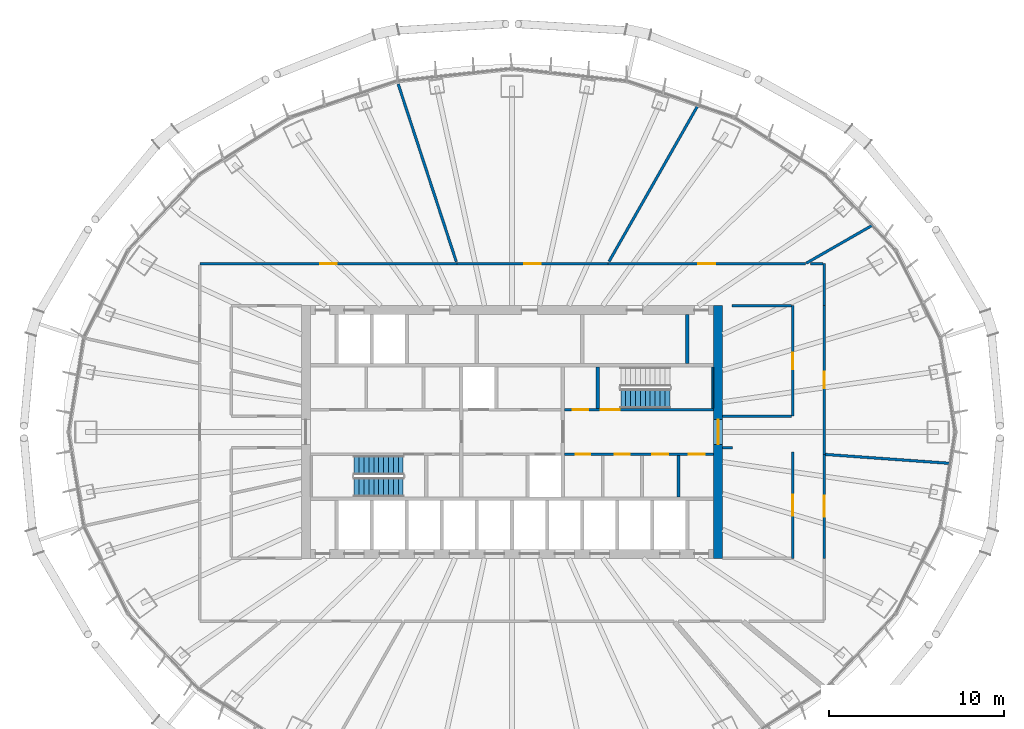
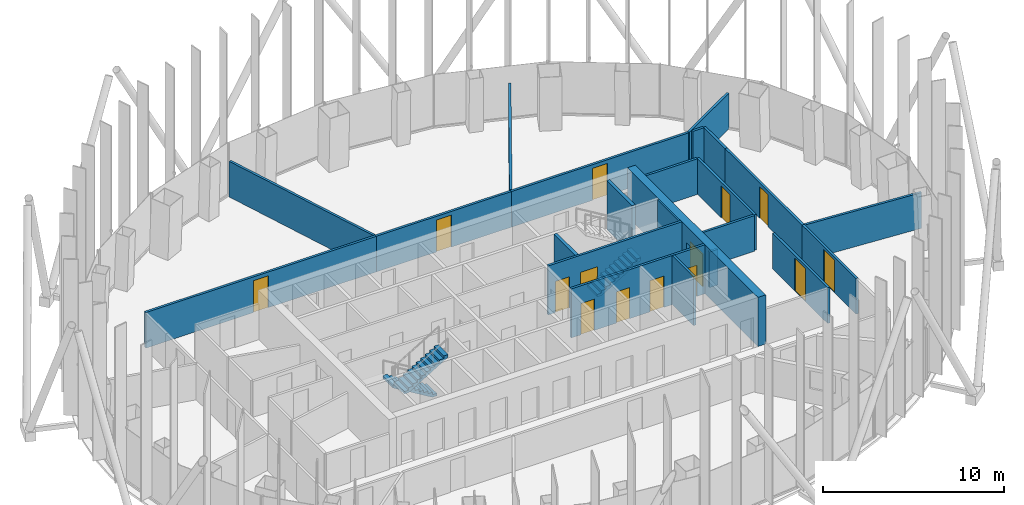
# One storey, part 10 of 19: 23 walls, 14 doors, 3 stair flights, 14 openings, 2 elements without a shape of their own.
"""IFC4 building model written with IfcOpenShell, lengths in metres."""

from ifc_helpers import new_model, si_unit, direction, frame, frame_2d, origin, place, context, subcontext, project, spatial, polyline, rectangle, outline, extrude, material, layer, layer_set, type_object, element, fill, aggregate, save


model = new_model("IFC4")

# Units and contexts
model_context = context("Model", 3, precision=1e-05, world=origin(), true_north=direction((0.0, 1.0)))
body_context = subcontext(model_context, "Body", "Model", "MODEL_VIEW")
ifc_project = project(units=[si_unit("LENGTHUNIT", "METRE"), si_unit("AREAUNIT", "SQUARE_METRE"), si_unit("VOLUMEUNIT", "CUBIC_METRE"), si_unit("PLANEANGLEUNIT", "RADIAN"), si_unit("MASSUNIT", "GRAM", prefix="KILO")], contexts=[model_context])

# Site, building, storey
site_placement = place(None, origin())
site = spatial("IfcSite", under=ifc_project, at=site_placement, CompositionType="ELEMENT")
building_placement = place(site_placement, origin())
building = spatial("IfcBuilding", under=site, at=building_placement, Name="Siaravel Broadcast Tower", CompositionType="ELEMENT")
storey_placement = place(building_placement, frame((0.0, 0.0, 119.300048828125)))
storey = spatial("IfcBuildingStorey", under=building, at=storey_placement, Name="L28", CompositionType="ELEMENT", Elevation=119.300048828125)

# Wall
ifc_material_1 = material(Name="Concrete blockwork", Category="masonry")
ifc_layer_1 = layer(ifc_material_1, 0.14990234375)
ifc_layer_set_1 = layer_set([ifc_layer_1], Name="Concrete blockwork")
wall_type_1 = type_object("IfcWallType", Name="Core partition 150", PredefinedType="PARTITIONING", material=ifc_layer_set_1)
wall_1_placement = place(storey_placement, frame((9.492919921875, -3.699951171875, 0.0), z_axis=(0.0, 0.0, 1.0), x_axis=(0.0, 1.0, 0.0)))
element("IfcWall", 1, at=wall_1_placement, inside=storey, type_object=wall_type_1, Name="L28 core partition PSE2", PredefinedType="PARTITIONING", context=body_context, shape_type="SweptSolid", body=[
    extrude(rectangle(XDim=2.349853515625, YDim=0.14990234375, at=frame_2d((1.1748046875, 0.0))), origin(), (0.0, 0.0, 1.0), 3.300048828125),
])

# Wall, opening, door
ifc_material_2 = material(Name="Concrete C60/75", Category="concrete")
ifc_layer_2 = layer(ifc_material_2, 0.5)
ifc_layer_set_2 = layer_set([ifc_layer_2], Name="Concrete C60/75")
wall_type_2 = type_object("IfcWallType", Name="Core wall 500", PredefinedType="SHEAR", material=ifc_layer_set_2)
wall_2_placement = place(storey_placement, frame((11.75, -7.199951171875, 0.0), z_axis=(0.0, 0.0, 1.0), x_axis=(0.0, 1.0, 0.0)))
wall_2 = element("IfcWall", 2, at=wall_2_placement, inside=storey, type_object=wall_type_2, Name="L28 core wall OE", PredefinedType="SHEAR", context=body_context, shape_type="SweptSolid", body=[
    extrude(rectangle(XDim=14.39990234375, YDim=0.5, at=frame_2d((7.199951171875, 0.0))), origin(), (0.0, 0.0, 1.0), 3.300048828125),
])
opening_1_placement = place(wall_2_placement, frame((6.5, 0.0, 0.0)))
opening_1 = element("IfcOpeningElement", 3, at=opening_1_placement, cuts=wall_2, Name="Opening L28-DX-E", PredefinedType="OPENING", context=body_context, shape_type="SweptSolid", body=[
    extrude(rectangle(XDim=1.39990234375, YDim=2.199951171875, at=frame_2d((0.699951171875, 1.10009765625))), frame((0.0, 0.260009765625, 0.0), z_axis=(0.0, -1.0, 0.0), x_axis=(1.0, 0.0, 0.0)), (0.0, 0.0, 1.0), 0.52001953125),
])
ifc_material_3 = material(Name="Steel", Category="steel")
door_type_1 = type_object("IfcDoorType", Name="Core exit door 1400", OperationType="DOUBLE_DOOR_SINGLE_SWING", PredefinedType="DOOR", material=ifc_material_3)
door_1_placement = place(opening_1_placement, origin())
door_1 = element("IfcDoor", 4, at=door_1_placement, inside=storey, type_object=door_type_1, Name="L28 door DX-E", OperationType="DOUBLE_DOOR_SINGLE_SWING", OverallHeight=2.199951171875, OverallWidth=1.39990234375, PredefinedType="DOOR", context=body_context, shape_type="SweptSolid", body=[
    extrude(rectangle(XDim=1.39990234375, YDim=2.199951171875, at=frame_2d((0.699951171875, 1.10009765625))), frame((0.0, 0.02490234375, 0.0), z_axis=(0.0, -1.0, 0.0), x_axis=(1.0, 0.0, 0.0)), (0.0, 0.0, 1.0), 0.050048828125),
])
fill(opening_1, door_1)

# Wall, openings, doors
ifc_material_4 = material(Name="Gypsum board partition", Category="gypsum")
ifc_layer_3 = layer(ifc_material_4, 0.14990234375)
ifc_layer_set_3 = layer_set([ifc_layer_3], Name="Gypsum board partition")
wall_type_3 = type_object("IfcWallType", Name="Corridor wall 150", PredefinedType="PARTITIONING", material=ifc_layer_set_3)
wall_3_placement = place(storey_placement, frame((3.0, -1.27490234375, 0.0), z_axis=(0.0, 0.0, 1.0), x_axis=(1.0, 0.0, 0.0)))
wall_3 = element("IfcWall", 5, at=wall_3_placement, inside=storey, type_object=wall_type_3, Name="L28 core partition CSE", PredefinedType="PARTITIONING", context=body_context, shape_type="SweptSolid", body=[
    extrude(rectangle(XDim=8.5, YDim=0.14990234375, at=frame_2d((4.25, 0.0))), origin(), (0.0, 0.0, 1.0), 3.300048828125),
])
opening_2_placement = place(wall_3_placement, frame((0.62158203125, 0.0, 0.0)))
opening_2 = element("IfcOpeningElement", 6, at=opening_2_placement, cuts=wall_3, Name="Opening L28-DSE0", PredefinedType="OPENING", context=body_context, shape_type="SweptSolid", body=[
    extrude(rectangle(XDim=0.85009765625, YDim=2.10009765625, at=frame_2d((0.425048828125, 1.050048828125))), frame((0.0, 0.0849609375, 0.0), z_axis=(0.0, -1.0, 0.0), x_axis=(1.0, 0.0, 0.0)), (0.0, 0.0, 1.0), 0.169921875),
])
opening_3_placement = place(wall_3_placement, frame((2.864501953125, 0.0, 0.0)))
opening_3 = element("IfcOpeningElement", 7, at=opening_3_placement, cuts=wall_3, Name="Opening L28-DSE1", PredefinedType="OPENING", context=body_context, shape_type="SweptSolid", body=[
    extrude(rectangle(XDim=0.85009765625, YDim=2.10009765625, at=frame_2d((0.425048828125, 1.050048828125))), frame((0.0, 0.0849609375, 0.0), z_axis=(0.0, -1.0, 0.0), x_axis=(1.0, 0.0, 0.0)), (0.0, 0.0, 1.0), 0.169921875),
])
opening_4_placement = place(wall_3_placement, frame((5.001953125, 0.0, 0.0)))
opening_4 = element("IfcOpeningElement", 8, at=opening_4_placement, cuts=wall_3, Name="Opening L28-DSE2", PredefinedType="OPENING", context=body_context, shape_type="SweptSolid", body=[
    extrude(rectangle(XDim=0.89990234375, YDim=2.10009765625, at=frame_2d((0.449951171875, 1.050048828125))), frame((0.0, 0.0849609375, 0.0), z_axis=(0.0, -1.0, 0.0), x_axis=(1.0, 0.0, 0.0)), (0.0, 0.0, 1.0), 0.169921875),
])
opening_5_placement = place(wall_3_placement, frame((7.083984375, 0.0, 0.0)))
opening_5 = element("IfcOpeningElement", 9, at=opening_5_placement, cuts=wall_3, Name="Opening L28-DSE3", PredefinedType="OPENING", context=body_context, shape_type="SweptSolid", body=[
    extrude(rectangle(XDim=0.89990234375, YDim=2.10009765625, at=frame_2d((0.449951171875, 1.050048828125))), frame((0.0, 0.0849609375, 0.0), z_axis=(0.0, -1.0, 0.0), x_axis=(1.0, 0.0, 0.0)), (0.0, 0.0, 1.0), 0.169921875),
])
ifc_material_5 = material(Name="Timber veneer", Category="wood")
door_type_2 = type_object("IfcDoorType", Name="Core room door 900", OperationType="SINGLE_SWING_LEFT", PredefinedType="DOOR", material=ifc_material_5)
door_2_placement = place(opening_4_placement, origin())
door_2 = element("IfcDoor", 10, at=door_2_placement, inside=storey, type_object=door_type_2, Name="L28 door DSE2", OperationType="SINGLE_SWING_LEFT", OverallHeight=2.10009765625, OverallWidth=0.89990234375, PredefinedType="DOOR", context=body_context, shape_type="SweptSolid", body=[
    extrude(rectangle(XDim=0.89990234375, YDim=2.10009765625, at=frame_2d((0.449951171875, 1.050048828125))), frame((0.0, 0.02490234375, 0.0), z_axis=(0.0, -1.0, 0.0), x_axis=(1.0, 0.0, 0.0)), (0.0, 0.0, 1.0), 0.050048828125),
])
fill(opening_4, door_2)
door_3_placement = place(opening_5_placement, origin())
door_3 = element("IfcDoor", 11, at=door_3_placement, inside=storey, type_object=door_type_2, Name="L28 door DSE3", OperationType="SINGLE_SWING_LEFT", OverallHeight=2.10009765625, OverallWidth=0.89990234375, PredefinedType="DOOR", context=body_context, shape_type="SweptSolid", body=[
    extrude(rectangle(XDim=0.89990234375, YDim=2.10009765625, at=frame_2d((0.449951171875, 1.050048828125))), frame((0.0, 0.02490234375, 0.0), z_axis=(0.0, -1.0, 0.0), x_axis=(1.0, 0.0, 0.0)), (0.0, 0.0, 1.0), 0.050048828125),
])
fill(opening_5, door_3)
door_type_3 = type_object("IfcDoorType", Name="Core toilet door 850", OperationType="SINGLE_SWING_LEFT", PredefinedType="DOOR", material=ifc_material_5)
door_4_placement = place(opening_2_placement, origin())
door_4 = element("IfcDoor", 12, at=door_4_placement, inside=storey, type_object=door_type_3, Name="L28 door DSE0", OperationType="SINGLE_SWING_LEFT", OverallHeight=2.10009765625, OverallWidth=0.85009765625, PredefinedType="DOOR", context=body_context, shape_type="SweptSolid", body=[
    extrude(rectangle(XDim=0.85009765625, YDim=2.10009765625, at=frame_2d((0.425048828125, 1.050048828125))), frame((0.0, 0.02490234375, 0.0), z_axis=(0.0, -1.0, 0.0), x_axis=(1.0, 0.0, 0.0)), (0.0, 0.0, 1.0), 0.050048828125),
])
fill(opening_2, door_4)
door_5_placement = place(opening_3_placement, origin())
door_5 = element("IfcDoor", 13, at=door_5_placement, inside=storey, type_object=door_type_3, Name="L28 door DSE1", OperationType="SINGLE_SWING_LEFT", OverallHeight=2.10009765625, OverallWidth=0.85009765625, PredefinedType="DOOR", context=body_context, shape_type="SweptSolid", body=[
    extrude(rectangle(XDim=0.85009765625, YDim=2.10009765625, at=frame_2d((0.425048828125, 1.050048828125))), frame((0.0, 0.02490234375, 0.0), z_axis=(0.0, -1.0, 0.0), x_axis=(1.0, 0.0, 0.0)), (0.0, 0.0, 1.0), 0.050048828125),
])
fill(opening_3, door_5)

# Wall, opening, door
wall_4_placement = place(storey_placement, frame((-3.140380859375, 9.60009765625, 0.0), z_axis=(0.0, 0.0, 1.0), x_axis=(-1.0, 0.0, 0.0)))
wall_4 = element("IfcWall", 14, at=wall_4_placement, inside=storey, type_object=wall_type_3, Name="L28 partition 2", PredefinedType="PARTITIONING", context=body_context, shape_type="SweptSolid", body=[
    extrude(rectangle(XDim=14.65966796875, YDim=0.14990234375, at=frame_2d((7.329833984375, 0.0))), origin(), (0.0, 0.0, 1.0), 2.39990234375),
])
opening_6_placement = place(wall_4_placement, frame((6.854736328125, 0.0, 0.0)))
opening_6 = element("IfcOpeningElement", 15, at=opening_6_placement, cuts=wall_4, Name="Opening L28-008", PredefinedType="OPENING", context=body_context, shape_type="SweptSolid", body=[
    extrude(rectangle(XDim=0.949951171875, YDim=2.14990234375, at=frame_2d((0.47509765625, 1.074951171875))), frame((0.0, 0.0849609375, 0.0), z_axis=(0.0, -1.0, 0.0), x_axis=(1.0, 0.0, 0.0)), (0.0, 0.0, 1.0), 0.169921875),
])
door_type_4 = type_object("IfcDoorType", Name="Office door 950", OperationType="SINGLE_SWING_LEFT", PredefinedType="DOOR", material=ifc_material_5)
door_6_placement = place(opening_6_placement, origin())
door_6 = element("IfcDoor", 16, at=door_6_placement, inside=storey, type_object=door_type_4, Name="L28 door to Design studio", OperationType="SINGLE_SWING_RIGHT", OverallHeight=2.14990234375, OverallWidth=0.949951171875, PredefinedType="DOOR", context=body_context, shape_type="SweptSolid", body=[
    extrude(rectangle(XDim=0.949951171875, YDim=2.14990234375, at=frame_2d((0.47509765625, 1.074951171875))), frame((0.0, 0.02490234375, 0.0), z_axis=(0.0, -1.0, 0.0), x_axis=(1.0, 0.0, 0.0)), (0.0, 0.0, 1.0), 0.050048828125),
])
fill(opening_6, door_6)

wall_5_placement = place(storey_placement, frame((16.73779296875, 9.60009765625, 0.0), z_axis=(0.0, 0.0, 1.0), x_axis=(-1.0, 0.0, 0.0)))
wall_5 = element("IfcWall", 17, at=wall_5_placement, inside=storey, type_object=wall_type_3, Name="L28 partition 3", PredefinedType="PARTITIONING", context=body_context, shape_type="SweptSolid", body=[
    extrude(rectangle(XDim=11.272705078125, YDim=0.14990234375, at=frame_2d((5.63623046875, 0.0))), origin(), (0.0, 0.0, 1.0), 2.39990234375),
])
opening_7_placement = place(wall_5_placement, frame((5.161376953125, 0.0, 0.0)))
opening_7 = element("IfcOpeningElement", 18, at=opening_7_placement, cuts=wall_5, Name="Opening L28-005", PredefinedType="OPENING", context=body_context, shape_type="SweptSolid", body=[
    extrude(rectangle(XDim=0.949951171875, YDim=2.14990234375, at=frame_2d((0.47509765625, 1.074951171875))), frame((0.0, 0.0849609375, 0.0), z_axis=(0.0, -1.0, 0.0), x_axis=(1.0, 0.0, 0.0)), (0.0, 0.0, 1.0), 0.169921875),
])
door_7_placement = place(opening_7_placement, origin())
door_7 = element("IfcDoor", 19, at=door_7_placement, inside=storey, type_object=door_type_4, Name="L28 door to Design studio", OperationType="SINGLE_SWING_LEFT", OverallHeight=2.14990234375, OverallWidth=0.949951171875, PredefinedType="DOOR", context=body_context, shape_type="SweptSolid", body=[
    extrude(rectangle(XDim=0.949951171875, YDim=2.14990234375, at=frame_2d((0.47509765625, 1.074951171875))), frame((0.0, 0.02490234375, 0.0), z_axis=(0.0, -1.0, 0.0), x_axis=(1.0, 0.0, 0.0)), (0.0, 0.0, 1.0), 0.050048828125),
])
fill(opening_7, door_7)

wall_6_placement = place(storey_placement, frame((5.464111328125, 9.60009765625, 0.0), z_axis=(0.0, 0.0, 1.0), x_axis=(-1.0, 0.0, 0.0)))
wall_6 = element("IfcWall", 20, at=wall_6_placement, inside=storey, type_object=wall_type_3, Name="L28 partition 7", PredefinedType="PARTITIONING", context=body_context, shape_type="SweptSolid", body=[
    extrude(rectangle(XDim=8.603515625, YDim=0.14990234375, at=frame_2d((4.3017578125, 0.0))), origin(), (0.0, 0.0, 1.0), 2.39990234375),
])
opening_8_placement = place(wall_6_placement, frame((3.826904296875, 0.0, 0.0)))
opening_8 = element("IfcOpeningElement", 21, at=opening_8_placement, cuts=wall_6, Name="Opening L28-006", PredefinedType="OPENING", context=body_context, shape_type="SweptSolid", body=[
    extrude(rectangle(XDim=0.949951171875, YDim=2.14990234375, at=frame_2d((0.47509765625, 1.074951171875))), frame((0.0, 0.0849609375, 0.0), z_axis=(0.0, -1.0, 0.0), x_axis=(1.0, 0.0, 0.0)), (0.0, 0.0, 1.0), 0.169921875),
])
door_8_placement = place(opening_8_placement, origin())
door_8 = element("IfcDoor", 22, at=door_8_placement, inside=storey, type_object=door_type_4, Name="L28 door to Design studio", OperationType="SINGLE_SWING_RIGHT", OverallHeight=2.14990234375, OverallWidth=0.949951171875, PredefinedType="DOOR", context=body_context, shape_type="SweptSolid", body=[
    extrude(rectangle(XDim=0.949951171875, YDim=2.14990234375, at=frame_2d((0.47509765625, 1.074951171875))), frame((0.0, 0.02490234375, 0.0), z_axis=(0.0, -1.0, 0.0), x_axis=(1.0, 0.0, 0.0)), (0.0, 0.0, 1.0), 0.050048828125),
])
fill(opening_8, door_8)

wall_7_placement = place(storey_placement, frame((17.800048828125, -1.275634765625, 0.0), z_axis=(0.0, 0.0, 1.0), x_axis=(0.0, 1.0, 0.0)))
wall_7 = element("IfcWall", 23, at=wall_7_placement, inside=storey, type_object=wall_type_3, Name="L28 partition 8", PredefinedType="PARTITIONING", context=body_context, shape_type="SweptSolid", body=[
    extrude(rectangle(XDim=8.487548828125, YDim=0.14990234375, at=frame_2d((4.24365234375, 0.0))), origin(), (0.0, 0.0, 1.0), 2.39990234375),
])
opening_9_placement = place(wall_7_placement, frame((3.768798828125, 0.0, 0.0)))
opening_9 = element("IfcOpeningElement", 24, at=opening_9_placement, cuts=wall_7, Name="Opening L28-004", PredefinedType="OPENING", context=body_context, shape_type="SweptSolid", body=[
    extrude(rectangle(XDim=0.949951171875, YDim=2.14990234375, at=frame_2d((0.47509765625, 1.074951171875))), frame((0.0, 0.0849609375, 0.0), z_axis=(0.0, -1.0, 0.0), x_axis=(1.0, 0.0, 0.0)), (0.0, 0.0, 1.0), 0.169921875),
])
door_9_placement = place(opening_9_placement, origin())
door_9 = element("IfcDoor", 25, at=door_9_placement, inside=storey, type_object=door_type_4, Name="L28 door to Design studio", OperationType="SINGLE_SWING_RIGHT", OverallHeight=2.14990234375, OverallWidth=0.949951171875, PredefinedType="DOOR", context=body_context, shape_type="SweptSolid", body=[
    extrude(rectangle(XDim=0.949951171875, YDim=2.14990234375, at=frame_2d((0.47509765625, 1.074951171875))), frame((0.0, 0.02490234375, 0.0), z_axis=(0.0, -1.0, 0.0), x_axis=(1.0, 0.0, 0.0)), (0.0, 0.0, 1.0), 0.050048828125),
])
fill(opening_9, door_9)

wall_8_placement = place(storey_placement, frame((16.0, 7.199951171875, 0.0), z_axis=(0.0, 0.0, 1.0), x_axis=(0.0, -1.0, 0.0)))
wall_8 = element("IfcWall", 26, at=wall_8_placement, inside=storey, type_object=wall_type_3, Name="L28 partition 15", PredefinedType="PARTITIONING", context=body_context, shape_type="SweptSolid", body=[
    extrude(rectangle(XDim=6.300048828125, YDim=0.14990234375, at=frame_2d((3.14990234375, 0.0))), origin(), (0.0, 0.0, 1.0), 2.39990234375),
])
opening_10_placement = place(wall_8_placement, frame((2.675048828125, 0.0, 0.0)))
opening_10 = element("IfcOpeningElement", 27, at=opening_10_placement, cuts=wall_8, Name="Opening L28-003", PredefinedType="OPENING", context=body_context, shape_type="SweptSolid", body=[
    extrude(rectangle(XDim=0.949951171875, YDim=2.14990234375, at=frame_2d((0.47509765625, 1.074951171875))), frame((0.0, 0.0849609375, 0.0), z_axis=(0.0, -1.0, 0.0), x_axis=(1.0, 0.0, 0.0)), (0.0, 0.0, 1.0), 0.169921875),
])
door_10_placement = place(opening_10_placement, origin())
door_10 = element("IfcDoor", 28, at=door_10_placement, inside=storey, type_object=door_type_4, Name="L28 door to Design studio", OperationType="SINGLE_SWING_LEFT", OverallHeight=2.14990234375, OverallWidth=0.949951171875, PredefinedType="DOOR", context=body_context, shape_type="SweptSolid", body=[
    extrude(rectangle(XDim=0.949951171875, YDim=2.14990234375, at=frame_2d((0.47509765625, 1.074951171875))), frame((0.0, 0.02490234375, 0.0), z_axis=(0.0, -1.0, 0.0), x_axis=(1.0, 0.0, 0.0)), (0.0, 0.0, 1.0), 0.050048828125),
])
fill(opening_10, door_10)

wall_9_placement = place(storey_placement, frame((16.0, -1.146484375, 0.0), z_axis=(0.0, 0.0, 1.0), x_axis=(0.0, -1.0, 0.0)))
wall_9 = element("IfcWall", 29, at=wall_9_placement, inside=storey, type_object=wall_type_3, Name="L28 partition 16", PredefinedType="PARTITIONING", context=body_context, shape_type="SweptSolid", body=[
    extrude(rectangle(XDim=6.053466796875, YDim=0.14990234375, at=frame_2d((3.02685546875, 0.0))), origin(), (0.0, 0.0, 1.0), 2.39990234375),
])
opening_11_placement = place(wall_9_placement, frame((2.4267578125, 0.0, 0.0)))
opening_11 = element("IfcOpeningElement", 30, at=opening_11_placement, cuts=wall_9, Name="Opening L28-001", PredefinedType="OPENING", context=body_context, shape_type="SweptSolid", body=[
    extrude(rectangle(XDim=1.199951171875, YDim=2.199951171875, at=frame_2d((0.60009765625, 1.10009765625))), frame((0.0, 0.0849609375, 0.0), z_axis=(0.0, -1.0, 0.0), x_axis=(1.0, 0.0, 0.0)), (0.0, 0.0, 1.0), 0.169921875),
])
door_type_5 = type_object("IfcDoorType", Name="Office double door 1200", OperationType="DOUBLE_DOOR_SINGLE_SWING", PredefinedType="DOOR", material=ifc_material_5)
door_11_placement = place(opening_11_placement, origin())
door_11 = element("IfcDoor", 31, at=door_11_placement, inside=storey, type_object=door_type_5, Name="L28 door to Open plan production office", OperationType="DOUBLE_DOOR_SINGLE_SWING", OverallHeight=2.199951171875, OverallWidth=1.199951171875, PredefinedType="DOOR", context=body_context, shape_type="SweptSolid", body=[
    extrude(rectangle(XDim=1.199951171875, YDim=2.199951171875, at=frame_2d((0.60009765625, 1.10009765625))), frame((0.0, 0.02490234375, 0.0), z_axis=(0.0, -1.0, 0.0), x_axis=(1.0, 0.0, 0.0)), (0.0, 0.0, 1.0), 0.050048828125),
])
fill(opening_11, door_11)

wall_10_placement = place(storey_placement, frame((17.800048828125, -7.2119140625, 0.0), z_axis=(0.0, 0.0, 1.0), x_axis=(0.0, 1.0, 0.0)))
wall_10 = element("IfcWall", 32, at=wall_10_placement, inside=storey, type_object=wall_type_3, Name="L28 partition 17", PredefinedType="PARTITIONING", context=body_context, shape_type="SweptSolid", body=[
    extrude(rectangle(XDim=5.936279296875, YDim=0.14990234375, at=frame_2d((2.96826171875, 0.0))), origin(), (0.0, 0.0, 1.0), 2.39990234375),
])
opening_12_placement = place(wall_10_placement, frame((2.3681640625, 0.0, 0.0)))
opening_12 = element("IfcOpeningElement", 33, at=opening_12_placement, cuts=wall_10, Name="Opening L28-002", PredefinedType="OPENING", context=body_context, shape_type="SweptSolid", body=[
    extrude(rectangle(XDim=1.199951171875, YDim=2.199951171875, at=frame_2d((0.60009765625, 1.10009765625))), frame((0.0, 0.0849609375, 0.0), z_axis=(0.0, -1.0, 0.0), x_axis=(1.0, 0.0, 0.0)), (0.0, 0.0, 1.0), 0.169921875),
])
door_12_placement = place(opening_12_placement, origin())
door_12 = element("IfcDoor", 34, at=door_12_placement, inside=storey, type_object=door_type_5, Name="L28 door to Open plan production office", OperationType="DOUBLE_DOOR_SINGLE_SWING", OverallHeight=2.199951171875, OverallWidth=1.199951171875, PredefinedType="DOOR", context=body_context, shape_type="SweptSolid", body=[
    extrude(rectangle(XDim=1.199951171875, YDim=2.199951171875, at=frame_2d((0.60009765625, 1.10009765625))), frame((0.0, 0.02490234375, 0.0), z_axis=(0.0, -1.0, 0.0), x_axis=(1.0, 0.0, 0.0)), (0.0, 0.0, 1.0), 0.050048828125),
])
fill(opening_12, door_12)

# Walls
wall_11_placement = place(storey_placement, frame((15.923095703125, 0.89990234375, 0.0), z_axis=(0.0, 0.0, 1.0), x_axis=(-1.0, 0.0, 0.0)))
element("IfcWall", 35, at=wall_11_placement, inside=storey, type_object=wall_type_3, Name="L28 partition 30", PredefinedType="PARTITIONING", context=body_context, shape_type="SweptSolid", body=[
    extrude(rectangle(XDim=3.923095703125, YDim=0.14990234375, at=frame_2d((1.96142578125, 0.0))), origin(), (0.0, 0.0, 1.0), 2.39990234375),
])
wall_12_placement = place(storey_placement, frame((12.553466796875, 7.199951171875, 0.0), z_axis=(0.0, 0.0, 1.0), x_axis=(1.0, 0.0, 0.0)))
element("IfcWall", 36, at=wall_12_placement, inside=storey, type_object=wall_type_3, Name="L28 partition 36", PredefinedType="PARTITIONING", context=body_context, shape_type="SweptSolid", body=[
    extrude(rectangle(XDim=3.36962890625, YDim=0.14990234375, at=frame_2d((1.684814453125, 0.0))), origin(), (0.0, 0.0, 1.0), 2.39990234375),
])
wall_13_placement = place(storey_placement, frame((17.800048828125, 7.212890625, 0.0), z_axis=(0.0, 0.0, 1.0), x_axis=(0.0, 1.0, 0.0)))
element("IfcWall", 37, at=wall_13_placement, inside=storey, type_object=wall_type_3, Name="L28 partition 42", PredefinedType="PARTITIONING", context=body_context, shape_type="SweptSolid", body=[
    extrude(rectangle(XDim=2.38720703125, YDim=0.14990234375, at=frame_2d((1.193603515625, 0.0))), origin(), (0.0, 0.0, 1.0), 2.39990234375),
])
wall_14_placement = place(storey_placement, frame((17.722900390625, 9.60009765625, 0.0), z_axis=(0.0, 0.0, 1.0), x_axis=(-1.0, 0.0, 0.0)))
element("IfcWall", 38, at=wall_14_placement, inside=storey, type_object=wall_type_3, Name="L28 partition 43", PredefinedType="PARTITIONING", context=body_context, shape_type="SweptSolid", body=[
    extrude(rectangle(XDim=0.701416015625, YDim=0.14990234375, at=frame_2d((0.3505859375, 0.0))), origin(), (0.0, 0.0, 1.0), 2.39990234375),
])
wall_15_placement = place(storey_placement, frame((12.0, -0.89990234375, 0.0), z_axis=(0.0, 0.0, 1.0), x_axis=(1.0, 0.0, 0.0)))
element("IfcWall", 39, at=wall_15_placement, inside=storey, type_object=wall_type_3, Name="L28 partition 44", PredefinedType="PARTITIONING", context=body_context, shape_type="SweptSolid", body=[
    extrude(rectangle(XDim=0.55908203125, YDim=0.14990234375, at=frame_2d((0.279541015625, 0.0))), origin(), (0.0, 0.0, 1.0), 2.39990234375),
])
ifc_layer_4 = layer(ifc_material_4, 0.14990234375)
ifc_layer_set_4 = layer_set([ifc_layer_4], Name="Gypsum board partition")
wall_type_4 = type_object("IfcWallType", Name="Room partition 150", PredefinedType="PARTITIONING", material=ifc_layer_set_4)
wall_16_placement = place(storey_placement, frame((-6.490234375, 19.8408203125, 0.0), z_axis=(0.0, 0.0, 1.0), x_axis=(0.310902644, -0.950441763, 0.0)))
element("IfcWall", 40, at=wall_16_placement, inside=storey, type_object=wall_type_4, Name="L28 partition 4", PredefinedType="PARTITIONING", context=body_context, shape_type="SweptSolid", body=[
    extrude(rectangle(XDim=10.66943359375, YDim=0.14990234375, at=frame_2d((5.334716796875, 0.0))), origin(), (0.0, 0.0, 1.0), 2.39990234375),
])
wall_17_placement = place(storey_placement, frame((10.598388671875, 18.6171875, 0.0), z_axis=(0.0, 0.0, 1.0), x_axis=(-0.494739643, -0.869041245, 0.0)))
element("IfcWall", 41, at=wall_17_placement, inside=storey, type_object=wall_type_4, Name="L28 partition 5", PredefinedType="PARTITIONING", context=body_context, shape_type="SweptSolid", body=[
    extrude(rectangle(XDim=10.244873046875, YDim=0.14990234375, at=frame_2d((5.12255859375, 0.0))), origin(), (0.0, 0.0, 1.0), 2.39990234375),
])
wall_18_placement = place(storey_placement, frame((25.005615234375, -1.7919921875, 0.0), z_axis=(0.0, 0.0, 1.0), x_axis=(-0.997440983, 0.071494657, 0.0)))
element("IfcWall", 42, at=wall_18_placement, inside=storey, type_object=wall_type_4, Name="L28 partition 11", PredefinedType="PARTITIONING", context=body_context, shape_type="SweptSolid", body=[
    extrude(rectangle(XDim=7.147216796875, YDim=0.14990234375, at=frame_2d((3.57373046875, 0.0))), origin(), (0.0, 0.0, 1.0), 2.39990234375),
])
wall_19_placement = place(storey_placement, frame((20.552978515625, 11.7880859375, 0.0), z_axis=(0.0, 0.0, 1.0), x_axis=(-0.86746307, -0.497501581, 0.0)))
element("IfcWall", 43, at=wall_19_placement, inside=storey, type_object=wall_type_4, Name="L28 partition 22", PredefinedType="PARTITIONING", context=body_context, shape_type="SweptSolid", body=[
    extrude(rectangle(XDim=4.358642578125, YDim=0.14990234375, at=frame_2d((2.17919921875, 0.0))), origin(), (0.0, 0.0, 1.0), 2.39990234375),
])
ifc_layer_5 = layer(ifc_material_2, 0.10009765625)
ifc_layer_set_5 = layer_set([ifc_layer_5], Name="Concrete C60/75")
wall_type_5 = type_object("IfcWallType", Name="Shaft wall 100", PredefinedType="SHEAR", material=ifc_layer_set_5)
wall_20_placement = place(storey_placement, frame((11.449951171875, 1.35009765625, 0.0), z_axis=(0.0, 0.0, 1.0), x_axis=(0.0, 1.0, 0.0)))
element("IfcWall", 44, at=wall_20_placement, inside=storey, type_object=wall_type_5, Name="L28 core wall ST2E", PredefinedType="SHEAR", context=body_context, shape_type="SweptSolid", body=[
    extrude(rectangle(XDim=2.349853515625, YDim=0.10009765625, at=frame_2d((1.1748046875, 0.0))), origin(), (0.0, 0.0, 1.0), 3.300048828125),
])

# Wall, openings, doors
ifc_layer_6 = layer(ifc_material_2, 0.14990234375)
ifc_layer_set_6 = layer_set([ifc_layer_6], Name="Concrete C60/75")
wall_type_6 = type_object("IfcWallType", Name="Shaft wall 150", PredefinedType="SHEAR", material=ifc_layer_set_6)
wall_21_placement = place(storey_placement, frame((3.0, 1.27490234375, 0.0), z_axis=(0.0, 0.0, 1.0), x_axis=(1.0, 0.0, 0.0)))
wall_21 = element("IfcWall", 45, at=wall_21_placement, inside=storey, type_object=wall_type_6, Name="L28 core wall CNE", PredefinedType="SHEAR", context=body_context, shape_type="SweptSolid", body=[
    extrude(rectangle(XDim=8.5, YDim=0.14990234375, at=frame_2d((4.25, 0.0))), origin(), (0.0, 0.0, 1.0), 3.300048828125),
])
opening_13_placement = place(wall_21_placement, frame((2.050048828125, 0.0, 0.0)))
opening_13 = element("IfcOpeningElement", 46, at=opening_13_placement, cuts=wall_21, Name="Opening L28-DS-2", PredefinedType="OPENING", context=body_context, shape_type="SweptSolid", body=[
    extrude(rectangle(XDim=1.10009765625, YDim=2.14990234375, at=frame_2d((0.550048828125, 1.074951171875))), frame((0.0, 0.0849609375, 0.0), z_axis=(0.0, -1.0, 0.0), x_axis=(1.0, 0.0, 0.0)), (0.0, 0.0, 1.0), 0.169921875),
])
opening_14_placement = place(wall_21_placement, frame((0.449951171875, 0.0, 0.0)))
opening_14 = element("IfcOpeningElement", 47, at=opening_14_placement, cuts=wall_21, Name="Opening L28-DNE0", PredefinedType="OPENING", context=body_context, shape_type="SweptSolid", body=[
    extrude(rectangle(XDim=0.89990234375, YDim=2.10009765625, at=frame_2d((0.449951171875, 1.050048828125))), frame((0.0, 0.0849609375, 0.0), z_axis=(0.0, -1.0, 0.0), x_axis=(1.0, 0.0, 0.0)), (0.0, 0.0, 1.0), 0.169921875),
])
door_13_placement = place(opening_14_placement, origin())
door_13 = element("IfcDoor", 48, at=door_13_placement, inside=storey, type_object=door_type_2, Name="L28 door DNE0", OperationType="SINGLE_SWING_LEFT", OverallHeight=2.10009765625, OverallWidth=0.89990234375, PredefinedType="DOOR", context=body_context, shape_type="SweptSolid", body=[
    extrude(rectangle(XDim=0.89990234375, YDim=2.10009765625, at=frame_2d((0.449951171875, 1.050048828125))), frame((0.0, 0.02490234375, 0.0), z_axis=(0.0, -1.0, 0.0), x_axis=(1.0, 0.0, 0.0)), (0.0, 0.0, 1.0), 0.050048828125),
])
fill(opening_14, door_13)
door_type_6 = type_object("IfcDoorType", Name="Stair door 1100", OperationType="SINGLE_SWING_LEFT", PredefinedType="DOOR", material=ifc_material_3)
door_14_placement = place(opening_13_placement, origin())
door_14 = element("IfcDoor", 49, at=door_14_placement, inside=storey, type_object=door_type_6, Name="L28 door DS-2", OperationType="SINGLE_SWING_LEFT", OverallHeight=2.14990234375, OverallWidth=1.10009765625, PredefinedType="DOOR", context=body_context, shape_type="SweptSolid", body=[
    extrude(rectangle(XDim=1.10009765625, YDim=2.14990234375, at=frame_2d((0.550048828125, 1.074951171875))), frame((0.0, 0.02490234375, 0.0), z_axis=(0.0, -1.0, 0.0), x_axis=(1.0, 0.0, 0.0)), (0.0, 0.0, 1.0), 0.050048828125),
])
fill(opening_13, door_14)

# Walls
ifc_layer_7 = layer(ifc_material_2, 0.199951171875)
ifc_layer_set_7 = layer_set([ifc_layer_7], Name="Concrete C60/75")
wall_type_7 = type_object("IfcWallType", Name="Shaft wall 200", PredefinedType="SHEAR", material=ifc_layer_set_7)
wall_22_placement = place(storey_placement, frame((10.0, 3.89990234375, 0.0), z_axis=(0.0, 0.0, 1.0), x_axis=(0.0, 1.0, 0.0)))
element("IfcWall", 50, at=wall_22_placement, inside=storey, type_object=wall_type_7, Name="L28 core wall SWN10", PredefinedType="SHEAR", context=body_context, shape_type="SweptSolid", body=[
    extrude(rectangle(XDim=2.800048828125, YDim=0.199951171875, at=frame_2d((1.39990234375, 0.0))), origin(), (0.0, 0.0, 1.0), 3.300048828125),
])
wall_23_placement = place(storey_placement, frame((4.89990234375, 1.35009765625, 0.0), z_axis=(0.0, 0.0, 1.0), x_axis=(0.0, 1.0, 0.0)))
element("IfcWall", 51, at=wall_23_placement, inside=storey, type_object=wall_type_7, Name="L28 core wall ST2W", PredefinedType="SHEAR", context=body_context, shape_type="SweptSolid", body=[
    extrude(rectangle(XDim=2.349853515625, YDim=0.199951171875, at=frame_2d((1.1748046875, 0.0))), origin(), (0.0, 0.0, 1.0), 3.300048828125),
])

# Stair, stair flights
ifc_material_6 = material(Name="Concrete C40/50", Category="concrete")
stair_type = type_object("IfcStairType", Name="Core exit stair", PredefinedType="HALF_TURN_STAIR", material=ifc_material_6)
stair_1_placement = place(storey_placement, origin())
stair_1 = element("IfcStair", 52, at=stair_1_placement, inside=storey, type_object=stair_type, Name="L28 Exit stair ST-1", PredefinedType="HALF_TURN_STAIR")
stair_flight_type = type_object("IfcStairFlightType", Name="Stair flight 1100", PredefinedType="STRAIGHT", material=ifc_material_6)
stair_flight_1_placement = place(storey_placement, frame((-6.199951171875, -1.89990234375, 0.0), z_axis=(0.0, 0.0, 1.0), x_axis=(-1.0, 0.0, 0.0)))
stair_flight_1 = element("IfcStairFlight", 53, at=stair_flight_1_placement, type_object=stair_flight_type, Name="ST-1 flight 1", NumberOfRisers=11, NumberOfTreads=10, PredefinedType="STRAIGHT", RiserHeight=0.1681818, TreadLength=0.28, context=body_context, shape_type="SweptSolid", body=[
    extrude(outline(polyline([(0.0, 0.0), (0.0, 0.168212890625), (0.280029296875, 0.168212890625), (0.280029296875, 0.33642578125), (0.56005859375, 0.33642578125), (0.56005859375, 0.504638671875), (0.840087890625, 0.504638671875), (0.840087890625, 0.672607421875), (1.1201171875, 0.672607421875), (1.1201171875, 0.8408203125), (1.39990234375, 0.8408203125), (1.39990234375, 1.009033203125), (1.679931640625, 1.009033203125), (1.679931640625, 1.17724609375), (1.9599609375, 1.17724609375), (1.9599609375, 1.345458984375), (2.239990234375, 1.345458984375), (2.239990234375, 1.513671875), (2.52001953125, 1.513671875), (2.52001953125, 1.681884765625), (2.800048828125, 1.681884765625), (2.800048828125, 1.85009765625), (2.800048828125, 1.5068359375), (0.291015625, 0.0), (0.0, 0.0)])), frame((0.0, 0.550048828125, 0.0), z_axis=(0.0, -1.0, 0.0), x_axis=(1.0, 0.0, 0.0)), (0.0, 0.0, 1.0), 1.10009765625),
])
stair_flight_2_placement = place(storey_placement, frame((-9.0, -3.14990234375, 1.849853515625), z_axis=(0.0, 0.0, 1.0), x_axis=(1.0, 0.0, 0.0)))
stair_flight_2 = element("IfcStairFlight", 54, at=stair_flight_2_placement, type_object=stair_flight_type, Name="ST-1 flight 2", NumberOfRisers=11, NumberOfTreads=10, PredefinedType="STRAIGHT", RiserHeight=0.1681818, TreadLength=0.28, context=body_context, shape_type="SweptSolid", body=[
    extrude(outline(polyline([(0.0, 0.0), (0.0, 0.168212890625), (0.280029296875, 0.168212890625), (0.280029296875, 0.33642578125), (0.56005859375, 0.33642578125), (0.56005859375, 0.504638671875), (0.840087890625, 0.504638671875), (0.840087890625, 0.672607421875), (1.1201171875, 0.672607421875), (1.1201171875, 0.8408203125), (1.39990234375, 0.8408203125), (1.39990234375, 1.009033203125), (1.679931640625, 1.009033203125), (1.679931640625, 1.17724609375), (1.9599609375, 1.17724609375), (1.9599609375, 1.345458984375), (2.239990234375, 1.345458984375), (2.239990234375, 1.513671875), (2.52001953125, 1.513671875), (2.52001953125, 1.681884765625), (2.800048828125, 1.681884765625), (2.800048828125, 1.85009765625), (2.800048828125, 1.5068359375), (0.291015625, 0.0), (0.0, 0.0)])), frame((0.0, 0.550048828125, 0.0), z_axis=(0.0, -1.0, 0.0), x_axis=(1.0, 0.0, 0.0)), (0.0, 0.0, 1.0), 1.10009765625),
])
aggregate(stair_1, [stair_flight_1, stair_flight_2])

# Stair, stair flight
stair_2_placement = place(storey_placement, origin())
stair_2 = element("IfcStair", 55, at=stair_2_placement, inside=storey, type_object=stair_type, Name="L28 Exit stair ST-2", PredefinedType="HALF_TURN_STAIR")
stair_flight_3_placement = place(storey_placement, frame((6.199951171875, 1.89990234375, 0.0), z_axis=(0.0, 0.0, 1.0), x_axis=(1.0, 0.0, 0.0)))
stair_flight_3 = element("IfcStairFlight", 56, at=stair_flight_3_placement, type_object=stair_flight_type, Name="ST-2 flight 1", NumberOfRisers=11, NumberOfTreads=10, PredefinedType="STRAIGHT", RiserHeight=0.1681818, TreadLength=0.28, context=body_context, shape_type="SweptSolid", body=[
    extrude(outline(polyline([(0.0, 0.0), (0.0, 0.168212890625), (0.280029296875, 0.168212890625), (0.280029296875, 0.33642578125), (0.56005859375, 0.33642578125), (0.56005859375, 0.504638671875), (0.840087890625, 0.504638671875), (0.840087890625, 0.672607421875), (1.1201171875, 0.672607421875), (1.1201171875, 0.8408203125), (1.39990234375, 0.8408203125), (1.39990234375, 1.009033203125), (1.679931640625, 1.009033203125), (1.679931640625, 1.17724609375), (1.9599609375, 1.17724609375), (1.9599609375, 1.345458984375), (2.239990234375, 1.345458984375), (2.239990234375, 1.513671875), (2.52001953125, 1.513671875), (2.52001953125, 1.681884765625), (2.800048828125, 1.681884765625), (2.800048828125, 1.85009765625), (2.800048828125, 1.5068359375), (0.291015625, 0.0), (0.0, 0.0)])), frame((0.0, 0.550048828125, 0.0), z_axis=(0.0, -1.0, 0.0), x_axis=(1.0, 0.0, 0.0)), (0.0, 0.0, 1.0), 1.10009765625),
])
aggregate(stair_2, [stair_flight_3])

save(model, "model.ifc")
